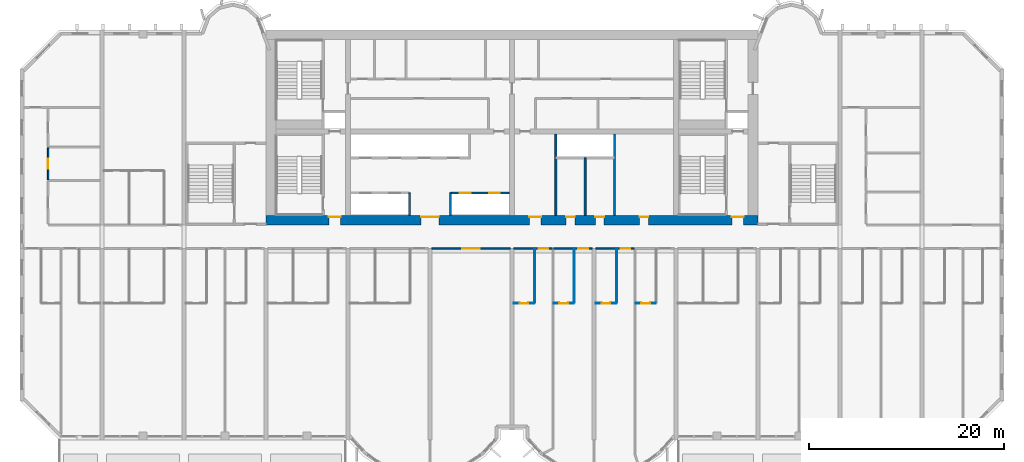
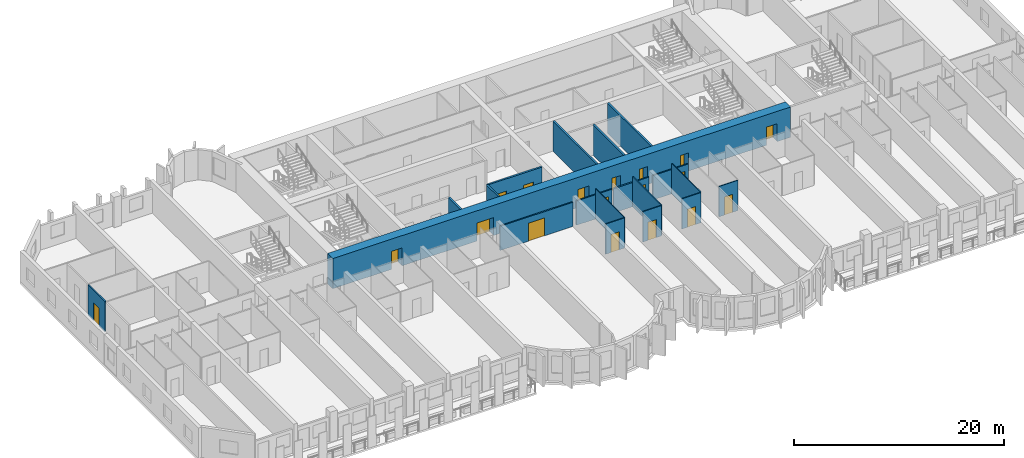
# One storey, part 5 of 14: 19 walls, 18 doors, 18 openings.
"""IFC4 building model written with IfcOpenShell, lengths in metres."""

from ifc_helpers import new_model, si_unit, direction, frame, frame_2d, origin, place, context, subcontext, project, spatial, rectangle, extrude, source, transform, mapped, material, layer, layer_set, type_object, element, fill, save


model = new_model("IFC4")

# Units and contexts
model_context = context("Model", 3, precision=1e-05, world=origin(), true_north=direction((0.0, 1.0)))
body_context = subcontext(model_context, "Body", "Model", "MODEL_VIEW")
ifc_project = project(units=[si_unit("LENGTHUNIT", "METRE"), si_unit("AREAUNIT", "SQUARE_METRE"), si_unit("VOLUMEUNIT", "CUBIC_METRE"), si_unit("PLANEANGLEUNIT", "RADIAN"), si_unit("MASSUNIT", "GRAM", prefix="KILO")], contexts=[model_context])

# Site, building, storey
site_placement = place(None, origin())
site = spatial("IfcSite", under=ifc_project, at=site_placement, CompositionType="ELEMENT")
building_placement = place(site_placement, origin())
building = spatial("IfcBuilding", under=site, at=building_placement, Name="Vanashikhar Sky Hotel", CompositionType="ELEMENT")
storey_placement = place(building_placement, frame((0.0, 0.0, 50.60009765625)))
storey = spatial("IfcBuildingStorey", under=building, at=storey_placement, Name="L11", CompositionType="ELEMENT", Elevation=50.60009765625)

# Wall, openings, doors
ifc_material_1 = material(Name="Concrete M80", Category="concrete")
ifc_layer_1 = layer(ifc_material_1, 1.0)
ifc_layer_set_1 = layer_set([ifc_layer_1], Name="RC core shell wall 1000 Concrete M80")
wall_type_1 = type_object("IfcWallType", Name="RC core shell wall 1000 Concrete M80", PredefinedType="SHEAR", material=ifc_layer_set_1)
shared_shape_1 = source(origin(), body_context, "Body", "SweptSolid", [
    extrude(rectangle(XDim=50.400146484375, YDim=1.0, at=frame_2d((25.2001953125, 0.0))), origin(), (0.0, 0.0, 1.0), 3.52001953125),
])
wall_1_placement = place(storey_placement, frame((25.199951171875, 22.5, 0.0), z_axis=(0.0, 0.0, 1.0), x_axis=(1.0, 0.0, 0.0)))
wall_1 = element("IfcWall", 1, at=wall_1_placement, inside=storey, type_object=wall_type_1, Name="KW-L11-KS", PredefinedType="SHEAR", context=body_context, shape_type="MappedRepresentation", body=[
    mapped(shared_shape_1, transform((0.0, 0.0, 0.0), scale=1.0)),
])
shared_shape_2 = source(origin(), body_context, "Body", "SweptSolid", [
    extrude(rectangle(XDim=1.800048828125, YDim=2.10009765625, at=frame_2d((0.89990234375, 1.050048828125))), frame((0.0, 0.510009765625, 0.0), z_axis=(0.0, -1.0, 0.0), x_axis=(1.0, 0.0, 0.0)), (0.0, 0.0, 1.0), 1.02001953125),
])
opening_1_placement = place(wall_1_placement, frame((15.89990234375, 0.0, 0.0)))
opening_1 = element("IfcOpeningElement", 2, at=opening_1_placement, cuts=wall_1, Name="Opening DC-3-A", PredefinedType="OPENING", context=body_context, shape_type="MappedRepresentation", body=[
    mapped(shared_shape_2, transform((0.0, 0.0, 0.0), scale=1.0)),
])
shared_shape_3 = source(origin(), body_context, "Body", "SweptSolid", [
    extrude(rectangle(XDim=1.199951171875, YDim=2.10009765625, at=frame_2d((0.60009765625, 1.050048828125))), frame((0.0, 0.510009765625, 0.0), z_axis=(0.0, -1.0, 0.0), x_axis=(1.0, 0.0, 0.0)), (0.0, 0.0, 1.0), 1.02001953125),
])
opening_2_placement = place(wall_1_placement, frame((26.987060546875, 0.0, 0.0)))
opening_2 = element("IfcOpeningElement", 3, at=opening_2_placement, cuts=wall_1, Name="Opening DC-4-B", PredefinedType="OPENING", context=body_context, shape_type="MappedRepresentation", body=[
    mapped(shared_shape_3, transform((0.0, 0.0, 0.0), scale=1.0)),
])
shared_shape_4 = source(origin(), body_context, "Body", "SweptSolid", [
    extrude(rectangle(XDim=0.89990234375, YDim=2.10009765625, at=frame_2d((0.449951171875, 1.050048828125))), frame((0.0, 0.510009765625, 0.0), z_axis=(0.0, -1.0, 0.0), x_axis=(1.0, 0.0, 0.0)), (0.0, 0.0, 1.0), 1.02001953125),
])
opening_3_placement = place(wall_1_placement, frame((33.75, 0.0, 0.0)))
opening_3 = element("IfcOpeningElement", 4, at=opening_3_placement, cuts=wall_1, Name="Opening DC-4-A", PredefinedType="OPENING", context=body_context, shape_type="MappedRepresentation", body=[
    mapped(shared_shape_4, transform((0.0, 0.0, 0.0), scale=1.0)),
])
opening_4_placement = place(wall_1_placement, frame((30.75, 0.0, 0.0)))
opening_4 = element("IfcOpeningElement", 5, at=opening_4_placement, cuts=wall_1, Name="Opening DC-4-A", PredefinedType="OPENING", context=body_context, shape_type="MappedRepresentation", body=[
    mapped(shared_shape_4, transform((0.0, 0.0, 0.0), scale=1.0)),
])
opening_5_placement = place(wall_1_placement, frame((38.261962890625, 0.0, 0.0)))
opening_5 = element("IfcOpeningElement", 6, at=opening_5_placement, cuts=wall_1, Name="Opening DC-4-A", PredefinedType="OPENING", context=body_context, shape_type="MappedRepresentation", body=[
    mapped(shared_shape_4, transform((0.0, 0.0, 0.0), scale=1.0)),
])
opening_6_placement = place(wall_1_placement, frame((6.43798828125, 0.0, 0.0)))
opening_6 = element("IfcOpeningElement", 7, at=opening_6_placement, cuts=wall_1, Name="Opening DC-2", PredefinedType="OPENING", context=body_context, shape_type="MappedRepresentation", body=[
    mapped(shared_shape_3, transform((0.0, 0.0, 0.0), scale=1.0)),
])
opening_7_placement = place(wall_1_placement, frame((47.72509765625, 0.0, 0.0)))
opening_7 = element("IfcOpeningElement", 8, at=opening_7_placement, cuts=wall_1, Name="Opening DC-2", PredefinedType="OPENING", context=body_context, shape_type="MappedRepresentation", body=[
    mapped(shared_shape_3, transform((0.0, 0.0, 0.0), scale=1.0)),
])
ifc_material_2 = material(Name="Glass", Category="glass")
door_type_1 = type_object("IfcDoorType", Name="Lift lobby entrance door 1800 FD30S", OperationType="NOTDEFINED", PredefinedType="DOOR", material=ifc_material_2)
shared_shape_5 = source(origin(), body_context, "Body", "SweptSolid", [
    extrude(rectangle(XDim=1.800048828125, YDim=2.10009765625, at=frame_2d((0.89990234375, 1.050048828125))), frame((0.0, 0.375, 0.0), z_axis=(0.0, -1.0, 0.0), x_axis=(1.0, 0.0, 0.0)), (0.0, 0.0, 1.0), 0.050048828125),
])
door_1_placement = place(opening_1_placement, origin())
door_1 = element("IfcDoor", 9, at=door_1_placement, inside=storey, type_object=door_type_1, Name="Lift lobby entrance door 1800 FD30S", OperationType="DOUBLE_DOOR_SINGLE_SWING", OverallHeight=2.10009765625, OverallWidth=1.800048828125, PredefinedType="DOOR", context=body_context, shape_type="MappedRepresentation", body=[
    mapped(shared_shape_5, transform((0.0, 0.0, 0.0), scale=1.0)),
])
fill(opening_1, door_1)
ifc_material_3 = material(Name="Steel", Category="steel")
door_type_2 = type_object("IfcDoorType", Name="Service door 1200 FD60", OperationType="NOTDEFINED", PredefinedType="DOOR", material=ifc_material_3)
shared_shape_6 = source(origin(), body_context, "Body", "SweptSolid", [
    extrude(rectangle(XDim=1.199951171875, YDim=2.10009765625, at=frame_2d((0.60009765625, 1.050048828125))), frame((0.0, 0.375, 0.0), z_axis=(0.0, -1.0, 0.0), x_axis=(1.0, 0.0, 0.0)), (0.0, 0.0, 1.0), 0.050048828125),
])
door_2_placement = place(opening_2_placement, origin())
door_2 = element("IfcDoor", 10, at=door_2_placement, inside=storey, type_object=door_type_2, Name="Service door 1200 FD60", OperationType="SINGLE_SWING_RIGHT", OverallHeight=2.10009765625, OverallWidth=1.199951171875, PredefinedType="DOOR", context=body_context, shape_type="MappedRepresentation", body=[
    mapped(shared_shape_6, transform((0.0, 0.0, 0.0), scale=1.0)),
])
fill(opening_2, door_2)
door_type_3 = type_object("IfcDoorType", Name="Firefighting lobby door 1200 FD120", OperationType="NOTDEFINED", PredefinedType="DOOR", material=ifc_material_3)
door_3_placement = place(opening_6_placement, origin())
door_3 = element("IfcDoor", 11, at=door_3_placement, inside=storey, type_object=door_type_3, Name="Firefighting lobby door 1200 FD120", OperationType="SINGLE_SWING_RIGHT", OverallHeight=2.10009765625, OverallWidth=1.199951171875, PredefinedType="DOOR", context=body_context, shape_type="MappedRepresentation", body=[
    mapped(shared_shape_6, transform((0.0, 0.0, 0.0), scale=1.0)),
])
fill(opening_6, door_3)
door_4_placement = place(opening_7_placement, origin())
door_4 = element("IfcDoor", 12, at=door_4_placement, inside=storey, type_object=door_type_3, Name="Firefighting lobby door 1200 FD120", OperationType="SINGLE_SWING_LEFT", OverallHeight=2.10009765625, OverallWidth=1.199951171875, PredefinedType="DOOR", context=body_context, shape_type="MappedRepresentation", body=[
    mapped(shared_shape_6, transform((0.0, 0.0, 0.0), scale=1.0)),
])
fill(opening_7, door_4)
door_type_4 = type_object("IfcDoorType", Name="Service door 900 FD60", OperationType="NOTDEFINED", PredefinedType="DOOR", material=ifc_material_3)
shared_shape_7 = source(origin(), body_context, "Body", "SweptSolid", [
    extrude(rectangle(XDim=0.89990234375, YDim=2.10009765625, at=frame_2d((0.449951171875, 1.050048828125))), frame((0.0, 0.375, 0.0), z_axis=(0.0, -1.0, 0.0), x_axis=(1.0, 0.0, 0.0)), (0.0, 0.0, 1.0), 0.050048828125),
])
door_5_placement = place(opening_3_placement, origin())
door_5 = element("IfcDoor", 13, at=door_5_placement, inside=storey, type_object=door_type_4, Name="Service door 900 FD60", OperationType="SINGLE_SWING_RIGHT", OverallHeight=2.10009765625, OverallWidth=0.89990234375, PredefinedType="DOOR", context=body_context, shape_type="MappedRepresentation", body=[
    mapped(shared_shape_7, transform((0.0, 0.0, 0.0), scale=1.0)),
])
fill(opening_3, door_5)
door_6_placement = place(opening_4_placement, origin())
door_6 = element("IfcDoor", 14, at=door_6_placement, inside=storey, type_object=door_type_4, Name="Service door 900 FD60", OperationType="SINGLE_SWING_LEFT", OverallHeight=2.10009765625, OverallWidth=0.89990234375, PredefinedType="DOOR", context=body_context, shape_type="MappedRepresentation", body=[
    mapped(shared_shape_7, transform((0.0, 0.0, 0.0), scale=1.0)),
])
fill(opening_4, door_6)
door_7_placement = place(opening_5_placement, origin())
door_7 = element("IfcDoor", 15, at=door_7_placement, inside=storey, type_object=door_type_4, Name="Service door 900 FD60", OperationType="SINGLE_SWING_LEFT", OverallHeight=2.10009765625, OverallWidth=0.89990234375, PredefinedType="DOOR", context=body_context, shape_type="MappedRepresentation", body=[
    mapped(shared_shape_7, transform((0.0, 0.0, 0.0), scale=1.0)),
])
fill(opening_5, door_7)

ifc_material_4 = material(Name="Concrete M40", Category="concrete")
ifc_layer_2 = layer(ifc_material_4, 0.199951171875)
ifc_layer_set_2 = layer_set([ifc_layer_2], Name="Shaft wall 200")
wall_type_2 = type_object("IfcWallType", Name="Shaft wall 200", PredefinedType="SOLIDWALL", material=ifc_layer_set_2)
shared_shape_8 = source(origin(), body_context, "Body", "SweptSolid", [
    extrude(rectangle(XDim=6.0, YDim=0.199951171875, at=frame_2d((3.0, 0.0))), origin(), (0.0, 0.0, 1.0), 3.52001953125),
])
wall_2_placement = place(storey_placement, frame((44.10009765625, 25.300048828125, 0.0), z_axis=(0.0, 0.0, 1.0), x_axis=(1.0, 0.0, 0.0)))
wall_2 = element("IfcWall", 16, at=wall_2_placement, inside=storey, type_object=wall_type_2, Name="Shaft wall 200", PredefinedType="SOLIDWALL", context=body_context, shape_type="MappedRepresentation", body=[
    mapped(shared_shape_8, transform((0.0, 0.0, 0.0), scale=1.0)),
])
shared_shape_9 = source(origin(), body_context, "Body", "SweptSolid", [
    extrude(rectangle(XDim=1.10009765625, YDim=2.10009765625, at=frame_2d((0.550048828125, 1.050048828125))), frame((0.0, 0.10986328125, 0.0), z_axis=(0.0, -1.0, 0.0), x_axis=(1.0, 0.0, 0.0)), (0.0, 0.0, 1.0), 0.219970703125),
])
opening_8_placement = place(wall_2_placement, frame((0.949951171875, 0.0, 0.0)))
opening_8 = element("IfcOpeningElement", 17, at=opening_8_placement, cuts=wall_2, Name="Opening LD", PredefinedType="OPENING", context=body_context, shape_type="MappedRepresentation", body=[
    mapped(shared_shape_9, transform((0.0, 0.0, 0.0), scale=1.0)),
])
opening_9_placement = place(wall_2_placement, frame((3.949951171875, 0.0, 0.0)))
opening_9 = element("IfcOpeningElement", 18, at=opening_9_placement, cuts=wall_2, Name="Opening LD", PredefinedType="OPENING", context=body_context, shape_type="MappedRepresentation", body=[
    mapped(shared_shape_9, transform((0.0, 0.0, 0.0), scale=1.0)),
])
ifc_material_5 = material(Name="Stainless steel", Category="steel")
door_type_5 = type_object("IfcDoorType", Name="Lift landing door 1100", OperationType="NOTDEFINED", PredefinedType="DOOR", material=ifc_material_5)
shared_shape_10 = source(origin(), body_context, "Body", "SweptSolid", [
    extrude(rectangle(XDim=1.10009765625, YDim=2.10009765625, at=frame_2d((0.550048828125, 1.050048828125))), frame((0.0, 0.02490234375, 0.0), z_axis=(0.0, -1.0, 0.0), x_axis=(1.0, 0.0, 0.0)), (0.0, 0.0, 1.0), 0.050048828125),
])
door_8_placement = place(opening_8_placement, origin())
door_8 = element("IfcDoor", 19, at=door_8_placement, inside=storey, type_object=door_type_5, Name="Lift landing door 1100", OperationType="SLIDING_TO_LEFT", OverallHeight=2.10009765625, OverallWidth=1.10009765625, PredefinedType="DOOR", context=body_context, shape_type="MappedRepresentation", body=[
    mapped(shared_shape_10, transform((0.0, 0.0, 0.0), scale=1.0)),
])
fill(opening_8, door_8)
door_9_placement = place(opening_9_placement, origin())
door_9 = element("IfcDoor", 20, at=door_9_placement, inside=storey, type_object=door_type_5, Name="Lift landing door 1100", OperationType="SLIDING_TO_RIGHT", OverallHeight=2.10009765625, OverallWidth=1.10009765625, PredefinedType="DOOR", context=body_context, shape_type="MappedRepresentation", body=[
    mapped(shared_shape_10, transform((0.0, 0.0, 0.0), scale=1.0)),
])
fill(opening_9, door_9)

# Walls
shared_shape_11 = source(origin(), body_context, "Body", "SweptSolid", [
    extrude(rectangle(XDim=2.300048828125, YDim=0.199951171875, at=frame_2d((1.14990234375, 0.0))), origin(), (0.0, 0.0, 1.0), 3.52001953125),
])
for number, where, z_axis, x_axis, name in (
    (21, (39.89990234375, 23.0, 0.0), (0.0, 0.0, 1.0), (0.0, 1.0, 0.0), "Shaft wall 200"),
    (22, (44.10009765625, 23.0, 0.0), (0.0, 0.0, 1.0), (0.0, 1.0, 0.0), "Shaft wall 200"),
):
    element("IfcWall", number, at=place(storey_placement, frame(where, z_axis=z_axis, x_axis=x_axis)), inside=storey, type_object=wall_type_2, Name=name, PredefinedType="SOLIDWALL", context=body_context, shape_type="MappedRepresentation", body=[
        mapped(shared_shape_11, transform((0.0, 0.0, 0.0), scale=1.0)),
    ])
ifc_material_6 = material(Name="Gypsum board partition")
ifc_layer_3 = layer(ifc_material_6, 0.14990234375)
ifc_layer_set_3 = layer_set([ifc_layer_3], Name="Service partition 150")
wall_type_3 = type_object("IfcWallType", Name="Service partition 150", PredefinedType="PARTITIONING", material=ifc_layer_set_3)
shared_shape_12 = source(origin(), body_context, "Body", "SweptSolid", [
    extrude(rectangle(XDim=8.324951171875, YDim=0.199951171875, at=frame_2d((4.16259765625, 0.0))), origin(), (0.0, 0.0, 1.0), 3.52001953125),
])
for number, where, z_axis, x_axis, name in (
    (23, (54.89990234375, 23.0, 0.0), (0.0, 0.0, 1.0), (0.0, 1.0, 0.0), "Service partition 150"),
    (24, (60.89990234375, 23.0, 0.0), (0.0, 0.0, 1.0), (0.0, 1.0, 0.0), "Service partition 150"),
):
    element("IfcWall", number, at=place(storey_placement, frame(where, z_axis=z_axis, x_axis=x_axis)), inside=storey, type_object=wall_type_3, Name=name, PredefinedType="PARTITIONING", context=body_context, shape_type="MappedRepresentation", body=[
        mapped(shared_shape_12, transform((0.0, 0.0, 0.0), scale=1.0)),
    ])
shared_shape_13 = source(origin(), body_context, "Body", "SweptSolid", [
    extrude(rectangle(XDim=5.89990234375, YDim=0.199951171875, at=frame_2d((2.949951171875, 0.0))), origin(), (0.0, 0.0, 1.0), 3.52001953125),
])
wall_3_placement = place(storey_placement, frame((57.89990234375, 23.0, 0.0), z_axis=(0.0, 0.0, 1.0), x_axis=(0.0, 1.0, 0.0)))
element("IfcWall", 25, at=wall_3_placement, inside=storey, type_object=wall_type_3, Name="Service partition 150", PredefinedType="PARTITIONING", context=body_context, shape_type="MappedRepresentation", body=[
    mapped(shared_shape_13, transform((0.0, 0.0, 0.0), scale=1.0)),
])

# Wall, opening, door
ifc_material_7 = material(Name="Gypsum plasterboard partition")
ifc_layer_4 = layer(ifc_material_7, 0.14990234375)
ifc_layer_set_4 = layer_set([ifc_layer_4], Name="Corridor and demising partition 150")
wall_type_4 = type_object("IfcWallType", Name="Corridor and demising partition 150", PredefinedType="PARTITIONING", material=ifc_layer_set_4)
shared_shape_14 = source(origin(), body_context, "Body", "SweptSolid", [
    extrude(rectangle(XDim=3.25, YDim=0.14990234375, at=frame_2d((1.625, 0.0))), origin(), (0.0, 0.0, 1.0), 3.52001953125),
])
wall_4_placement = place(storey_placement, frame((2.875, 26.675048828125, 0.0), z_axis=(0.0, 0.0, 1.0), x_axis=(0.0, 1.0, 0.0)))
wall_4 = element("IfcWall", 26, at=wall_4_placement, inside=storey, type_object=wall_type_4, Name="W-L11-PW076", PredefinedType="PARTITIONING", context=body_context, shape_type="MappedRepresentation", body=[
    mapped(shared_shape_14, transform((0.0, 0.0, 0.0), scale=1.0)),
])
shared_shape_15 = source(origin(), body_context, "Body", "SweptSolid", [
    extrude(rectangle(XDim=1.0, YDim=2.10009765625, at=frame_2d((0.5, 1.050048828125))), frame((0.0, 0.0849609375, 0.0), z_axis=(0.0, -1.0, 0.0), x_axis=(1.0, 0.0, 0.0)), (0.0, 0.0, 1.0), 0.169921875),
])
opening_10_placement = place(wall_4_placement, frame((1.125, 0.0, 0.0)))
opening_10 = element("IfcOpeningElement", 27, at=opening_10_placement, cuts=wall_4, Name="Opening D-01", PredefinedType="OPENING", context=body_context, shape_type="MappedRepresentation", body=[
    mapped(shared_shape_15, transform((0.0, 0.0, 0.0), scale=1.0)),
])
ifc_material_8 = material(Name="Timber fire door", Category="wood")
door_type_6 = type_object("IfcDoorType", Name="Guest entry door 1000 FD30S", OperationType="NOTDEFINED", PredefinedType="DOOR", material=ifc_material_8)
shared_shape_16 = source(origin(), body_context, "Body", "SweptSolid", [
    extrude(rectangle(XDim=1.0, YDim=2.10009765625, at=frame_2d((0.5, 1.050048828125))), frame((0.0, 0.02490234375, 0.0), z_axis=(0.0, -1.0, 0.0), x_axis=(1.0, 0.0, 0.0)), (0.0, 0.0, 1.0), 0.050048828125),
])
door_10_placement = place(opening_10_placement, origin())
door_10 = element("IfcDoor", 28, at=door_10_placement, inside=storey, type_object=door_type_6, Name="D-L11-043", OperationType="SINGLE_SWING_LEFT", OverallHeight=2.10009765625, OverallWidth=1.0, PredefinedType="DOOR", context=body_context, shape_type="MappedRepresentation", body=[
    mapped(shared_shape_16, transform((0.0, 0.0, 0.0), scale=1.0)),
])
fill(opening_10, door_10)

ifc_layer_5 = layer(ifc_material_7, 0.10009765625)
ifc_layer_set_5 = layer_set([ifc_layer_5], Name="Wet room partition 100")
wall_type_5 = type_object("IfcWallType", Name="Wet room partition 100", PredefinedType="PARTITIONING", material=ifc_layer_set_5)
shared_shape_17 = source(origin(), body_context, "Body", "SweptSolid", [
    extrude(rectangle(XDim=2.074951171875, YDim=0.10009765625, at=frame_2d((1.03759765625, 0.0))), origin(), (0.0, 0.0, 1.0), 3.52001953125),
])
wall_5_placement = place(storey_placement, frame((50.60009765625, 14.0, 0.0), z_axis=(0.0, 0.0, 1.0), x_axis=(1.0, 0.0, 0.0)))
wall_5 = element("IfcWall", 29, at=wall_5_placement, inside=storey, type_object=wall_type_5, Name="W-L11-PW032", PredefinedType="PARTITIONING", context=body_context, shape_type="MappedRepresentation", body=[
    mapped(shared_shape_17, transform((0.0, 0.0, 0.0), scale=1.0)),
])
shared_shape_18 = source(origin(), body_context, "Body", "SweptSolid", [
    extrude(rectangle(XDim=0.89990234375, YDim=2.10009765625, at=frame_2d((0.449951171875, 1.050048828125))), frame((0.0, 0.06005859375, 0.0), z_axis=(0.0, -1.0, 0.0), x_axis=(1.0, 0.0, 0.0)), (0.0, 0.0, 1.0), 0.1201171875),
])
opening_11_placement = place(wall_5_placement, frame((0.5869140625, 0.0, 0.0)))
opening_11 = element("IfcOpeningElement", 30, at=opening_11_placement, cuts=wall_5, Name="Opening D-02", PredefinedType="OPENING", context=body_context, shape_type="MappedRepresentation", body=[
    mapped(shared_shape_18, transform((0.0, 0.0, 0.0), scale=1.0)),
])
ifc_material_9 = material(Name="Timber door", Category="wood")
door_type_7 = type_object("IfcDoorType", Name="Internal door 900", OperationType="NOTDEFINED", PredefinedType="DOOR", material=ifc_material_9)
shared_shape_19 = source(origin(), body_context, "Body", "SweptSolid", [
    extrude(rectangle(XDim=0.89990234375, YDim=2.10009765625, at=frame_2d((0.449951171875, 1.050048828125))), frame((0.0, 0.02490234375, 0.0), z_axis=(0.0, -1.0, 0.0), x_axis=(1.0, 0.0, 0.0)), (0.0, 0.0, 1.0), 0.050048828125),
])
door_11_placement = place(opening_11_placement, origin())
door_11 = element("IfcDoor", 31, at=door_11_placement, inside=storey, type_object=door_type_7, Name="D-L11-019", OperationType="SINGLE_SWING_RIGHT", OverallHeight=2.10009765625, OverallWidth=0.89990234375, PredefinedType="DOOR", context=body_context, shape_type="MappedRepresentation", body=[
    mapped(shared_shape_19, transform((0.0, 0.0, 0.0), scale=1.0)),
])
fill(opening_11, door_11)

wall_6_placement = place(storey_placement, frame((54.675048828125, 14.0, 0.0), z_axis=(0.0, 0.0, 1.0), x_axis=(1.0, 0.0, 0.0)))
wall_6 = element("IfcWall", 32, at=wall_6_placement, inside=storey, type_object=wall_type_5, Name="W-L11-PW035", PredefinedType="PARTITIONING", context=body_context, shape_type="MappedRepresentation", body=[
    mapped(shared_shape_17, transform((0.0, 0.0, 0.0), scale=1.0)),
])
opening_12_placement = place(wall_6_placement, frame((0.587890625, 0.0, 0.0)))
opening_12 = element("IfcOpeningElement", 33, at=opening_12_placement, cuts=wall_6, Name="Opening D-02", PredefinedType="OPENING", context=body_context, shape_type="MappedRepresentation", body=[
    mapped(shared_shape_18, transform((0.0, 0.0, 0.0), scale=1.0)),
])
door_12_placement = place(opening_12_placement, origin())
door_12 = element("IfcDoor", 34, at=door_12_placement, inside=storey, type_object=door_type_7, Name="D-L11-021", OperationType="SINGLE_SWING_RIGHT", OverallHeight=2.10009765625, OverallWidth=0.89990234375, PredefinedType="DOOR", context=body_context, shape_type="MappedRepresentation", body=[
    mapped(shared_shape_19, transform((0.0, 0.0, 0.0), scale=1.0)),
])
fill(opening_12, door_12)

wall_7_placement = place(storey_placement, frame((59.0, 14.0, 0.0), z_axis=(0.0, 0.0, 1.0), x_axis=(1.0, 0.0, 0.0)))
wall_7 = element("IfcWall", 35, at=wall_7_placement, inside=storey, type_object=wall_type_5, Name="W-L11-PW039", PredefinedType="PARTITIONING", context=body_context, shape_type="MappedRepresentation", body=[
    mapped(shared_shape_17, transform((0.0, 0.0, 0.0), scale=1.0)),
])
opening_13_placement = place(wall_7_placement, frame((0.5869140625, 0.0, 0.0)))
opening_13 = element("IfcOpeningElement", 36, at=opening_13_placement, cuts=wall_7, Name="Opening D-02", PredefinedType="OPENING", context=body_context, shape_type="MappedRepresentation", body=[
    mapped(shared_shape_18, transform((0.0, 0.0, 0.0), scale=1.0)),
])
door_13_placement = place(opening_13_placement, origin())
door_13 = element("IfcDoor", 37, at=door_13_placement, inside=storey, type_object=door_type_7, Name="D-L11-023", OperationType="SINGLE_SWING_RIGHT", OverallHeight=2.10009765625, OverallWidth=0.89990234375, PredefinedType="DOOR", context=body_context, shape_type="MappedRepresentation", body=[
    mapped(shared_shape_19, transform((0.0, 0.0, 0.0), scale=1.0)),
])
fill(opening_13, door_13)

wall_8_placement = place(storey_placement, frame((63.074951171875, 14.0, 0.0), z_axis=(0.0, 0.0, 1.0), x_axis=(1.0, 0.0, 0.0)))
wall_8 = element("IfcWall", 38, at=wall_8_placement, inside=storey, type_object=wall_type_5, Name="W-L11-PW042", PredefinedType="PARTITIONING", context=body_context, shape_type="MappedRepresentation", body=[
    mapped(shared_shape_17, transform((0.0, 0.0, 0.0), scale=1.0)),
])
opening_14_placement = place(wall_8_placement, frame((0.587890625, 0.0, 0.0)))
opening_14 = element("IfcOpeningElement", 39, at=opening_14_placement, cuts=wall_8, Name="Opening D-02", PredefinedType="OPENING", context=body_context, shape_type="MappedRepresentation", body=[
    mapped(shared_shape_18, transform((0.0, 0.0, 0.0), scale=1.0)),
])
door_14_placement = place(opening_14_placement, origin())
door_14 = element("IfcDoor", 40, at=door_14_placement, inside=storey, type_object=door_type_7, Name="D-L11-025", OperationType="SINGLE_SWING_RIGHT", OverallHeight=2.10009765625, OverallWidth=0.89990234375, PredefinedType="DOOR", context=body_context, shape_type="MappedRepresentation", body=[
    mapped(shared_shape_19, transform((0.0, 0.0, 0.0), scale=1.0)),
])
fill(opening_14, door_14)

# Walls
shared_shape_20 = source(origin(), body_context, "Body", "SweptSolid", [
    extrude(rectangle(XDim=5.449951171875, YDim=0.10009765625, at=frame_2d((2.72509765625, 0.0))), origin(), (0.0, 0.0, 1.0), 3.52001953125),
])
for number, where, z_axis, x_axis, name in (
    (41, (52.72509765625, 14.074951171875, 0.0), (0.0, 0.0, 1.0), (0.0, 1.0, 0.0), "W-L11-PW031"),
    (42, (56.800048828125, 14.074951171875, 0.0), (0.0, 0.0, 1.0), (0.0, 1.0, 0.0), "W-L11-PW034"),
    (43, (61.125, 14.074951171875, 0.0), (0.0, 0.0, 1.0), (0.0, 1.0, 0.0), "W-L11-PW038"),
):
    element("IfcWall", number, at=place(storey_placement, frame(where, z_axis=z_axis, x_axis=x_axis)), inside=storey, type_object=wall_type_5, Name=name, PredefinedType="PARTITIONING", context=body_context, shape_type="MappedRepresentation", body=[
        mapped(shared_shape_20, transform((0.0, 0.0, 0.0), scale=1.0)),
    ])

# Wall, opening, door
shared_shape_21 = source(origin(), body_context, "Body", "SweptSolid", [
    extrude(rectangle(XDim=3.925048828125, YDim=0.14990234375, at=frame_2d((1.96240234375, 0.0))), origin(), (0.0, 0.0, 1.0), 2.81982421875),
])
wall_9_placement = place(storey_placement, frame((54.675048828125, 19.60009765625, 0.0), z_axis=(0.0, 0.0, 1.0), x_axis=(1.0, 0.0, 0.0)))
wall_9 = element("IfcWall", 44, at=wall_9_placement, inside=storey, type_object=wall_type_4, Name="W-L11-PW036", PredefinedType="PARTITIONING", context=body_context, shape_type="MappedRepresentation", body=[
    mapped(shared_shape_21, transform((0.0, 0.0, 0.0), scale=1.0)),
])
opening_15_placement = place(wall_9_placement, frame((2.52490234375, 0.0, 0.0)))
opening_15 = element("IfcOpeningElement", 45, at=opening_15_placement, cuts=wall_9, Name="Opening D-01", PredefinedType="OPENING", context=body_context, shape_type="MappedRepresentation", body=[
    mapped(shared_shape_15, transform((0.0, 0.0, 0.0), scale=1.0)),
])
door_15_placement = place(opening_15_placement, origin())
door_15 = element("IfcDoor", 46, at=door_15_placement, inside=storey, type_object=door_type_6, Name="D-L11-022", OperationType="SINGLE_SWING_RIGHT", OverallHeight=2.10009765625, OverallWidth=1.0, PredefinedType="DOOR", context=body_context, shape_type="MappedRepresentation", body=[
    mapped(shared_shape_16, transform((0.0, 0.0, 0.0), scale=1.0)),
])
fill(opening_15, door_15)

wall_10_placement = place(storey_placement, frame((59.0, 19.60009765625, 0.0), z_axis=(0.0, 0.0, 1.0), x_axis=(1.0, 0.0, 0.0)))
wall_10 = element("IfcWall", 47, at=wall_10_placement, inside=storey, type_object=wall_type_4, Name="W-L11-PW040", PredefinedType="PARTITIONING", context=body_context, shape_type="MappedRepresentation", body=[
    mapped(shared_shape_21, transform((0.0, 0.0, 0.0), scale=1.0)),
])
opening_16_placement = place(wall_10_placement, frame((2.52490234375, 0.0, 0.0)))
opening_16 = element("IfcOpeningElement", 48, at=opening_16_placement, cuts=wall_10, Name="Opening D-01", PredefinedType="OPENING", context=body_context, shape_type="MappedRepresentation", body=[
    mapped(shared_shape_15, transform((0.0, 0.0, 0.0), scale=1.0)),
])
door_16_placement = place(opening_16_placement, origin())
door_16 = element("IfcDoor", 49, at=door_16_placement, inside=storey, type_object=door_type_6, Name="D-L11-024", OperationType="SINGLE_SWING_RIGHT", OverallHeight=2.10009765625, OverallWidth=1.0, PredefinedType="DOOR", context=body_context, shape_type="MappedRepresentation", body=[
    mapped(shared_shape_16, transform((0.0, 0.0, 0.0), scale=1.0)),
])
fill(opening_16, door_16)

shared_shape_22 = source(origin(), body_context, "Body", "SweptSolid", [
    extrude(rectangle(XDim=8.0, YDim=0.14990234375, at=frame_2d((4.0, 0.0))), origin(), (0.0, 0.0, 1.0), 2.81982421875),
])
wall_11_placement = place(storey_placement, frame((42.199951171875, 19.60009765625, 0.0), z_axis=(0.0, 0.0, 1.0), x_axis=(1.0, 0.0, 0.0)))
wall_11 = element("IfcWall", 50, at=wall_11_placement, inside=storey, type_object=wall_type_4, Name="W-L11-PW030", PredefinedType="PARTITIONING", context=body_context, shape_type="MappedRepresentation", body=[
    mapped(shared_shape_22, transform((0.0, 0.0, 0.0), scale=1.0)),
])
shared_shape_23 = source(origin(), body_context, "Body", "SweptSolid", [
    extrude(rectangle(XDim=1.800048828125, YDim=2.10009765625, at=frame_2d((0.89990234375, 1.050048828125))), frame((0.0, 0.0849609375, 0.0), z_axis=(0.0, -1.0, 0.0), x_axis=(1.0, 0.0, 0.0)), (0.0, 0.0, 1.0), 0.169921875),
])
opening_17_placement = place(wall_11_placement, frame((3.10009765625, 0.0, 0.0)))
opening_17 = element("IfcOpeningElement", 51, at=opening_17_placement, cuts=wall_11, Name="Opening D-03", PredefinedType="OPENING", context=body_context, shape_type="MappedRepresentation", body=[
    mapped(shared_shape_23, transform((0.0, 0.0, 0.0), scale=1.0)),
])
door_type_8 = type_object("IfcDoorType", Name="Double leaf door 1800 FD30S", OperationType="NOTDEFINED", PredefinedType="DOOR", material=ifc_material_8)
shared_shape_24 = source(origin(), body_context, "Body", "SweptSolid", [
    extrude(rectangle(XDim=1.800048828125, YDim=2.10009765625, at=frame_2d((0.89990234375, 1.050048828125))), frame((0.0, 0.02490234375, 0.0), z_axis=(0.0, -1.0, 0.0), x_axis=(1.0, 0.0, 0.0)), (0.0, 0.0, 1.0), 0.050048828125),
])
door_17_placement = place(opening_17_placement, origin())
door_17 = element("IfcDoor", 52, at=door_17_placement, inside=storey, type_object=door_type_8, Name="D-L11-018", OperationType="DOUBLE_DOOR_SINGLE_SWING", OverallHeight=2.10009765625, OverallWidth=1.800048828125, PredefinedType="DOOR", context=body_context, shape_type="MappedRepresentation", body=[
    mapped(shared_shape_24, transform((0.0, 0.0, 0.0), scale=1.0)),
])
fill(opening_17, door_17)

shared_shape_25 = source(origin(), body_context, "Body", "SweptSolid", [
    extrude(rectangle(XDim=3.9248046875, YDim=0.14990234375, at=frame_2d((1.96240234375, 0.0))), origin(), (0.0, 0.0, 1.0), 2.81982421875),
])
wall_12_placement = place(storey_placement, frame((50.60009765625, 19.60009765625, 0.0), z_axis=(0.0, 0.0, 1.0), x_axis=(1.0, 0.0, 0.0)))
wall_12 = element("IfcWall", 53, at=wall_12_placement, inside=storey, type_object=wall_type_4, Name="W-L11-PW033", PredefinedType="PARTITIONING", context=body_context, shape_type="MappedRepresentation", body=[
    mapped(shared_shape_25, transform((0.0, 0.0, 0.0), scale=1.0)),
])
opening_18_placement = place(wall_12_placement, frame((2.52490234375, 0.0, 0.0)))
opening_18 = element("IfcOpeningElement", 54, at=opening_18_placement, cuts=wall_12, Name="Opening D-01", PredefinedType="OPENING", context=body_context, shape_type="MappedRepresentation", body=[
    mapped(shared_shape_15, transform((0.0, 0.0, 0.0), scale=1.0)),
])
door_18_placement = place(opening_18_placement, origin())
door_18 = element("IfcDoor", 55, at=door_18_placement, inside=storey, type_object=door_type_6, Name="D-L11-020", OperationType="SINGLE_SWING_RIGHT", OverallHeight=2.10009765625, OverallWidth=1.0, PredefinedType="DOOR", context=body_context, shape_type="MappedRepresentation", body=[
    mapped(shared_shape_16, transform((0.0, 0.0, 0.0), scale=1.0)),
])
fill(opening_18, door_18)

save(model, "model.ifc")
